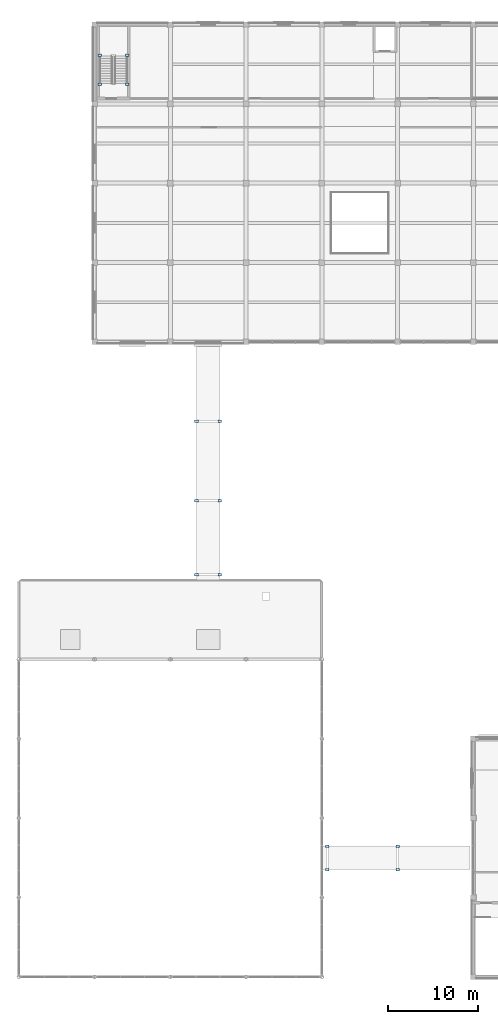
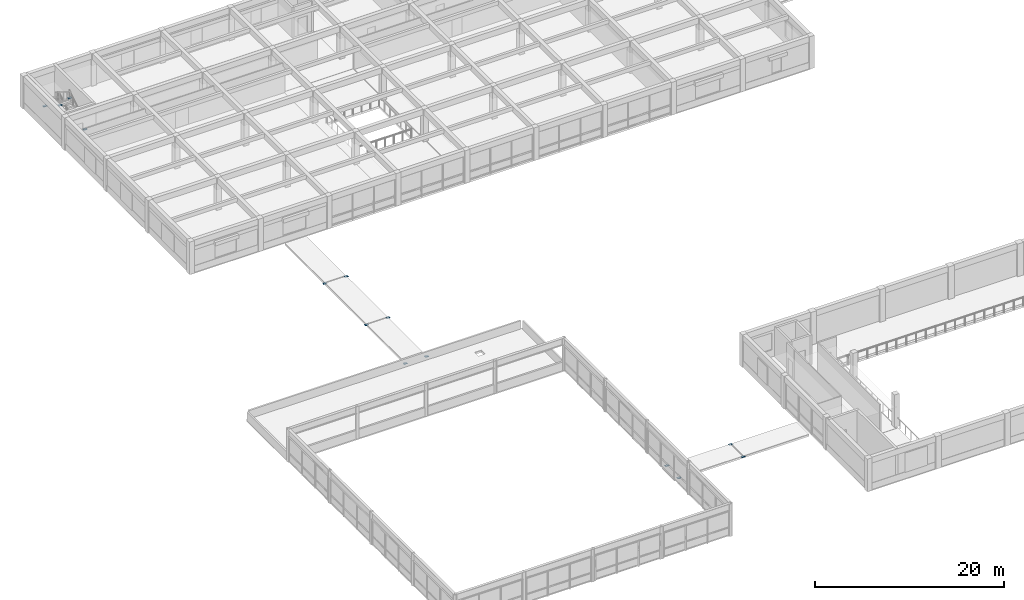
# One storey, part 28 of 46: 14 plates.
"""IFC4 building model written with IfcOpenShell, lengths in metres."""

from ifc_helpers import new_model, si_unit, direction, frame, origin, origin_2d, place, context, subcontext, project, spatial, rectangle, extrude, material, layer, layer_set, type_object, element, save


model = new_model("IFC4")

# Units and contexts
model_context = context("Model", 3, precision=1e-05, world=origin(), true_north=direction((0.0, 1.0)))
body_context = subcontext(model_context, "Body", "Model", "MODEL_VIEW")
ifc_project = project(units=[si_unit("LENGTHUNIT", "METRE"), si_unit("AREAUNIT", "SQUARE_METRE"), si_unit("VOLUMEUNIT", "CUBIC_METRE"), si_unit("PLANEANGLEUNIT", "RADIAN"), si_unit("MASSUNIT", "GRAM", prefix="KILO")], contexts=[model_context])

# Site, building, storey
site_placement = place(None, origin())
site = spatial("IfcSite", under=ifc_project, at=site_placement, CompositionType="ELEMENT")
building_placement = place(site_placement, origin())
building = spatial("IfcBuilding", under=site, at=building_placement, Name="Kemercrest Conservatory and Botanical Centre", CompositionType="ELEMENT")
storey_placement = place(building_placement, frame((0.0, 0.0, 9.0)))
storey = spatial("IfcBuildingStorey", under=building, at=storey_placement, Name="L02", CompositionType="ELEMENT", Elevation=9.0)

# Plates
ifc_material = material(Name="Steel CSA G40.21 350W", Category="steel")
ifc_layer = layer(ifc_material, 0.030029296875)
ifc_layer_set = layer_set([ifc_layer], Name="Steel CSA G40.21 350W")
plate_type = type_object("IfcPlateType", Name="GN-05", PredefinedType="USERDEFINED", material=ifc_layer_set)
for number, where, z_axis, x_axis, name in (
    (1, (42.199951171875, 28.699951171875, -0.01513671875), (0.0, 0.0, 1.0), (1.0, 0.0, 0.0), "Bridge column cap plate GN-05 SJ-1"),
    (2, (42.199951171875, 31.300048828125, -0.01513671875), (0.0, 0.0, 1.0), (1.0, 0.0, 0.0), "Bridge column cap plate GN-05 SJ-1"),
    (3, (50.0, 28.699951171875, -0.01513671875), (0.0, 0.0, 1.0), (1.0, 0.0, 0.0), "Bridge column cap plate GN-05 SJ-1"),
    (4, (50.0, 31.300048828125, -0.01513671875), (0.0, 0.0, 1.0), (1.0, 0.0, 0.0), "Bridge column cap plate GN-05 SJ-1"),
    (5, (27.699951171875, 61.39990234375, -0.01513671875), (0.0, 0.0, 1.0), (1.0, 0.0, 0.0), "Bridge column cap plate GN-05 SJ-2"),
    (6, (30.300048828125, 61.39990234375, -0.01513671875), (0.0, 0.0, 1.0), (1.0, 0.0, 0.0), "Bridge column cap plate GN-05 SJ-2"),
    (7, (27.699951171875, 69.60009765625, -0.01513671875), (0.0, 0.0, 1.0), (1.0, 0.0, 0.0), "Bridge column cap plate GN-05 SJ-2"),
    (8, (30.300048828125, 69.60009765625, -0.01513671875), (0.0, 0.0, 1.0), (1.0, 0.0, 0.0), "Bridge column cap plate GN-05 SJ-2"),
    (9, (27.699951171875, 78.39990234375, -0.01513671875), (0.0, 0.0, 1.0), (1.0, 0.0, 0.0), "Bridge column cap plate GN-05 SJ-2"),
    (10, (30.300048828125, 78.39990234375, -0.01513671875), (0.0, 0.0, 1.0), (1.0, 0.0, 0.0), "Bridge column cap plate GN-05 SJ-2"),
    (11, (20.010009765625, 115.760009765625, -0.115234375), (0.0, 0.0, 1.0), (1.0, 0.0, 0.0), "Stair stringer base node cap GN-05 #27"),
    (12, (20.010009765625, 119.0, 1.96484375), (0.0, 0.0, 1.0), (1.0, 0.0, 0.0), "Stair stringer head node cap GN-05 #27"),
    (13, (16.989990234375, 115.760009765625, 4.06494140625), (0.0, 0.0, 1.0), (1.0, 0.0, 0.0), "Stair stringer base node cap GN-05 #28"),
    (14, (16.989990234375, 119.0, 1.98486328125), (0.0, 0.0, 1.0), (1.0, 0.0, 0.0), "Stair stringer head node cap GN-05 #28"),
):
    element("IfcPlate", number, at=place(storey_placement, frame(where, z_axis=z_axis, x_axis=x_axis)), inside=storey, type_object=plate_type, Name=name, ObjectType="GUSSET PLATE", PredefinedType="USERDEFINED", context=body_context, shape_type="SweptSolid", body=[
        extrude(rectangle(XDim=0.39990234375, YDim=0.280029296875, at=origin_2d()), origin(), (0.0, 0.0, 1.0), 0.030029296875),
    ])

save(model, "model.ifc")
